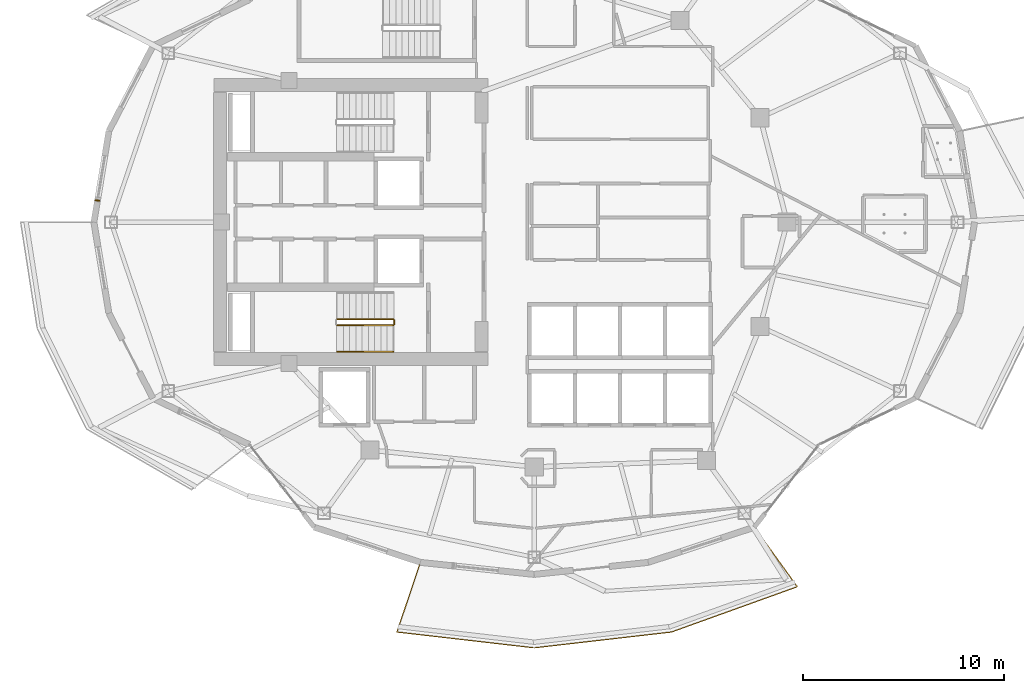
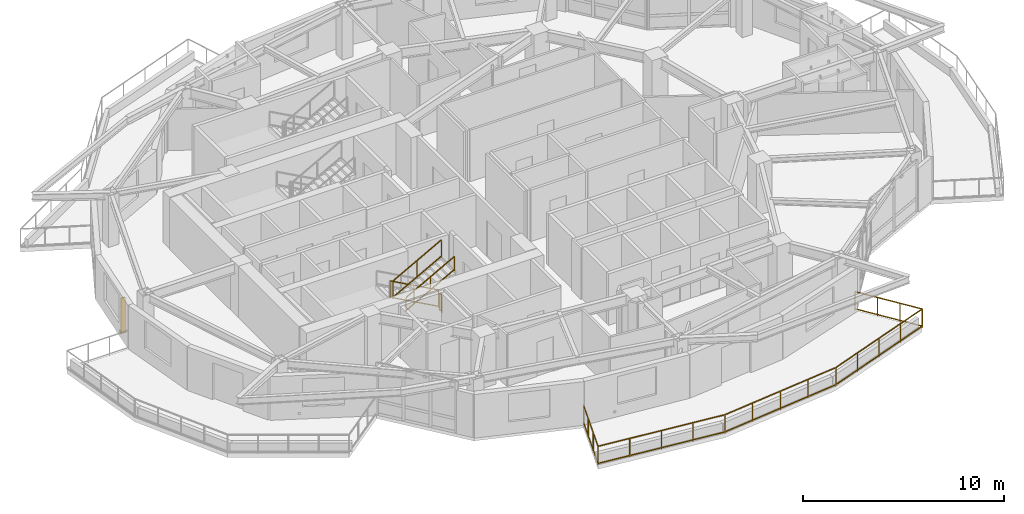
# One storey, part 16 of 18: 5 railings, 1 shading device.
"""IFC4 building model written with IfcOpenShell, lengths in metres."""

from ifc_helpers import new_model, si_unit, direction, frame, origin, origin_2d, place, context, subcontext, project, spatial, rectangle, extrude, material, type_object, element, save


model = new_model("IFC4")

# Units and contexts
model_context = context("Model", 3, precision=1e-05, world=origin(), true_north=direction((0.0, 1.0)))
body_context = subcontext(model_context, "Body", "Model", "MODEL_VIEW")
ifc_project = project(units=[si_unit("LENGTHUNIT", "METRE"), si_unit("AREAUNIT", "SQUARE_METRE"), si_unit("VOLUMEUNIT", "CUBIC_METRE"), si_unit("PLANEANGLEUNIT", "RADIAN"), si_unit("MASSUNIT", "GRAM", prefix="KILO")], contexts=[model_context])

# Site, building, storey
site_placement = place(None, origin())
site = spatial("IfcSite", under=ifc_project, at=site_placement, CompositionType="ELEMENT")
building_placement = place(site_placement, origin())
building = spatial("IfcBuilding", under=site, at=building_placement, Name="Kolvaren Gate Tower and Convention Centre", CompositionType="ELEMENT")
storey_placement = place(building_placement, frame((0.0, 0.0, 176.699951171875)))
storey = spatial("IfcBuildingStorey", under=building, at=storey_placement, Name="L46", CompositionType="ELEMENT", Elevation=176.699951171875)

# Railings
ifc_material_1 = material(Name="Brushed Stainless Steel Grade 316L", Category="steel")
railing_type_1 = type_object("IfcRailingType", Name="ARCH-RL-GUARD-1150", PredefinedType="GUARDRAIL", material=ifc_material_1)
railing_1_placement = place(storey_placement, frame((23.10009765625, 22.169921875, 0.170166015625)))
element("IfcRailing", 1, at=railing_1_placement, inside=storey, type_object=railing_type_1, Name="L46 ST-T2 stair guard 1", PredefinedType="GUARDRAIL", context=body_context, shape_type="SweptSolid", body=[
    extrude(rectangle(XDim=0.048095703125, YDim=0.048095703125, at=origin_2d()), frame((0.0, 0.0, 1.076171875), z_axis=(-0.876843711699, 0.0, 0.480775524808), x_axis=(0.0, -1.0, 0.0)), (0.0, 0.0, 1.0), 3.181884765625),
    extrude(rectangle(XDim=0.048095703125, YDim=0.048095703125, at=origin_2d()), frame((0.0, 0.0, 0.083984375), z_axis=(-0.876843711699, 0.0, 0.480775524808), x_axis=(0.0, -1.0, 0.0)), (0.0, 0.0, 1.0), 3.181884765625),
    extrude(rectangle(XDim=0.0419921875, YDim=0.0419921875, at=origin_2d()), origin(), (0.0, 0.0, 1.0), 1.050048828125),
    extrude(rectangle(XDim=0.0419921875, YDim=0.0419921875, at=origin_2d()), frame((-2.7900390625, 0.0, 1.52978515625)), (0.0, 0.0, 1.0), 1.050048828125),
    extrude(rectangle(XDim=0.0419921875, YDim=0.0419921875, at=origin_2d()), frame((-1.39501953125, 0.0, 0.764892578125)), (0.0, 0.0, 1.0), 1.050048828125),
])
railing_2_placement = place(storey_placement, frame((20.31005859375, 21.8701171875, 1.8701171875)))
element("IfcRailing", 2, at=railing_2_placement, inside=storey, type_object=railing_type_1, Name="L46 ST-T2 stair guard 3", PredefinedType="GUARDRAIL", context=body_context, shape_type="SweptSolid", body=[
    extrude(rectangle(XDim=0.048095703125, YDim=0.048095703125, at=origin_2d()), frame((0.0, 0.0, 1.076171875), z_axis=(0.876811365212, 0.0, 0.480834513982), x_axis=(0.0, 1.0, 0.0)), (0.0, 0.0, 1.0), 3.18212890625),
    extrude(rectangle(XDim=0.048095703125, YDim=0.048095703125, at=origin_2d()), frame((0.0, 0.0, 0.083984375), z_axis=(0.876811365212, 0.0, 0.480834513982), x_axis=(0.0, 1.0, 0.0)), (0.0, 0.0, 1.0), 3.18212890625),
    extrude(rectangle(XDim=0.0419921875, YDim=0.0419921875, at=origin_2d()), origin(), (0.0, 0.0, 1.0), 1.050048828125),
    extrude(rectangle(XDim=0.0419921875, YDim=0.0419921875, at=origin_2d()), frame((2.7900390625, 0.0, 1.530029296875)), (0.0, 0.0, 1.0), 1.050048828125),
    extrude(rectangle(XDim=0.0419921875, YDim=0.0419921875, at=origin_2d()), frame((1.39501953125, 0.0, 0.76513671875)), (0.0, 0.0, 1.0), 1.050048828125),
])
railing_3_placement = place(storey_placement, frame((23.14990234375, 22.1201171875, 0.0)))
element("IfcRailing", 3, at=railing_3_placement, inside=storey, type_object=railing_type_1, Name="L46 ST-T2 stair guard 4", PredefinedType="GUARDRAIL", context=body_context, shape_type="SweptSolid", body=[
    extrude(rectangle(XDim=0.048095703125, YDim=0.048095703125, at=origin_2d()), frame((0.0, 0.0, 1.076171875), z_axis=(0.0, -1.0, 0.0), x_axis=(1.0, 0.0, 0.0)), (0.0, 0.0, 1.0), 0.2001953125),
    extrude(rectangle(XDim=0.048095703125, YDim=0.048095703125, at=origin_2d()), frame((0.0, 0.0, 0.083984375), z_axis=(0.0, -1.0, 0.0), x_axis=(1.0, 0.0, 0.0)), (0.0, 0.0, 1.0), 0.2001953125),
    extrude(rectangle(XDim=0.0419921875, YDim=0.0419921875, at=origin_2d()), origin(), (0.0, 0.0, 1.0), 1.050048828125),
    extrude(rectangle(XDim=0.0419921875, YDim=0.0419921875, at=origin_2d()), frame((0.0, -0.2001953125, 0.0)), (0.0, 0.0, 1.0), 1.050048828125),
])
railing_4_placement = place(storey_placement, frame((24.447265625, 10.048095703125, 0.0)))
element("IfcRailing", 4, at=railing_4_placement, inside=storey, type_object=railing_type_1, Name="Tower L46 Terrace Perimeter Guardrail GR-3", PredefinedType="GUARDRAIL", context=body_context, shape_type="SweptSolid", body=[
    extrude(rectangle(XDim=0.048095703125, YDim=0.048095703125, at=origin_2d()), frame((-0.0087890625, -0.026611328125, 1.1259765625), z_axis=(-0.317568160167, -0.94823544737, 0.0), x_axis=(0.94823544737, -0.317568160167, 0.0)), (0.0, 0.0, 1.0), 3.60400390625),
    extrude(rectangle(XDim=0.048095703125, YDim=0.048095703125, at=origin_2d()), frame((-0.0087890625, -0.026611328125, 0.083984375), z_axis=(-0.317568160167, -0.94823544737, 0.0), x_axis=(0.94823544737, -0.317568160167, 0.0)), (0.0, 0.0, 1.0), 3.60400390625),
    extrude(rectangle(XDim=0.048095703125, YDim=0.048095703125, at=origin_2d()), frame((-1.134521484375, -3.473876953125, 1.1259765625), z_axis=(0.993440112849, -0.114353584036, 0.0), x_axis=(0.114353584036, 0.993440112849, 0.0)), (0.0, 0.0, 1.0), 6.8291015625),
    extrude(rectangle(XDim=0.048095703125, YDim=0.048095703125, at=origin_2d()), frame((-1.134521484375, -3.473876953125, 0.083984375), z_axis=(0.993440112849, -0.114353584036, 0.0), x_axis=(0.114353584036, 0.993440112849, 0.0)), (0.0, 0.0, 1.0), 6.8291015625),
    extrude(rectangle(XDim=0.048095703125, YDim=0.048095703125, at=origin_2d()), frame((5.70556640625, -4.2548828125, 1.1259765625), z_axis=(0.993440112849, 0.114353584036, 0.0), x_axis=(-0.114353584036, 0.993440112849, 0.0)), (0.0, 0.0, 1.0), 6.8291015625),
    extrude(rectangle(XDim=0.048095703125, YDim=0.048095703125, at=origin_2d()), frame((5.70556640625, -4.2548828125, 0.083984375), z_axis=(0.993440112849, 0.114353584036, 0.0), x_axis=(-0.114353584036, 0.993440112849, 0.0)), (0.0, 0.0, 1.0), 6.8291015625),
    extrude(rectangle(XDim=0.048095703125, YDim=0.048095703125, at=origin_2d()), frame((12.544189453125, -3.461181640625, 1.1259765625), z_axis=(0.940948576924, 0.338549517184, 0.0), x_axis=(-0.338549517184, 0.940948576924, 0.0)), (0.0, 0.0, 1.0), 6.60791015625),
    extrude(rectangle(XDim=0.048095703125, YDim=0.048095703125, at=origin_2d()), frame((12.544189453125, -3.461181640625, 0.083984375), z_axis=(0.940948576924, 0.338549517184, 0.0), x_axis=(-0.338549517184, 0.940948576924, 0.0)), (0.0, 0.0, 1.0), 6.60791015625),
    extrude(rectangle(XDim=0.048095703125, YDim=0.048095703125, at=origin_2d()), frame((18.77197265625, -1.19189453125, 1.1259765625), z_axis=(-0.585212870465, 0.810879705161, 0.0), x_axis=(-0.810879705161, -0.585212870465, 0.0)), (0.0, 0.0, 1.0), 3.603759765625),
    extrude(rectangle(XDim=0.048095703125, YDim=0.048095703125, at=origin_2d()), frame((18.77197265625, -1.19189453125, 0.083984375), z_axis=(-0.585212870465, 0.810879705161, 0.0), x_axis=(-0.810879705161, -0.585212870465, 0.0)), (0.0, 0.0, 1.0), 3.603759765625),
    extrude(rectangle(XDim=0.0419921875, YDim=0.0419921875, at=origin_2d()), origin(), (0.0, 0.0, 1.0), 1.14990234375),
    extrude(rectangle(XDim=0.0419921875, YDim=0.0419921875, at=origin_2d()), frame((-1.162353515625, -3.470703125, 0.0)), (0.0, 0.0, 1.0), 1.14990234375),
    extrude(rectangle(XDim=0.0419921875, YDim=0.0419921875, at=origin_2d()), frame((-0.387451171875, -1.156982421875, 0.0)), (0.0, 0.0, 1.0), 1.099853515625),
    extrude(rectangle(XDim=0.0419921875, YDim=0.0419921875, at=origin_2d()), frame((-0.77490234375, -2.313720703125, 0.0)), (0.0, 0.0, 1.0), 1.099853515625),
    extrude(rectangle(XDim=0.0419921875, YDim=0.0419921875, at=origin_2d()), frame((5.677734375, -4.258056640625, 0.0)), (0.0, 0.0, 1.0), 1.14990234375),
    extrude(rectangle(XDim=0.0419921875, YDim=0.0419921875, at=origin_2d()), frame((0.547607421875, -3.66748046875, 0.0)), (0.0, 0.0, 1.0), 1.099853515625),
    extrude(rectangle(XDim=0.0419921875, YDim=0.0419921875, at=origin_2d()), frame((2.2578125, -3.8642578125, 0.0)), (0.0, 0.0, 1.0), 1.099853515625),
    extrude(rectangle(XDim=0.0419921875, YDim=0.0419921875, at=origin_2d()), frame((3.9677734375, -4.061279296875, 0.0)), (0.0, 0.0, 1.0), 1.099853515625),
    extrude(rectangle(XDim=0.0419921875, YDim=0.0419921875, at=origin_2d()), frame((12.517822265625, -3.470703125, 0.0)), (0.0, 0.0, 1.0), 1.14990234375),
    extrude(rectangle(XDim=0.0419921875, YDim=0.0419921875, at=origin_2d()), frame((7.3876953125, -4.061279296875, 0.0)), (0.0, 0.0, 1.0), 1.099853515625),
    extrude(rectangle(XDim=0.0419921875, YDim=0.0419921875, at=origin_2d()), frame((9.09765625, -3.8642578125, 0.0)), (0.0, 0.0, 1.0), 1.099853515625),
    extrude(rectangle(XDim=0.0419921875, YDim=0.0419921875, at=origin_2d()), frame((10.807861328125, -3.66748046875, 0.0)), (0.0, 0.0, 1.0), 1.099853515625),
    extrude(rectangle(XDim=0.0419921875, YDim=0.0419921875, at=origin_2d()), frame((18.788330078125, -1.214599609375, 0.0)), (0.0, 0.0, 1.0), 1.14990234375),
    extrude(rectangle(XDim=0.0419921875, YDim=0.0419921875, at=origin_2d()), frame((14.08544921875, -2.90673828125, 0.0)), (0.0, 0.0, 1.0), 1.099853515625),
    extrude(rectangle(XDim=0.0419921875, YDim=0.0419921875, at=origin_2d()), frame((15.653076171875, -2.3427734375, 0.0)), (0.0, 0.0, 1.0), 1.099853515625),
    extrude(rectangle(XDim=0.0419921875, YDim=0.0419921875, at=origin_2d()), frame((17.220703125, -1.778564453125, 0.0)), (0.0, 0.0, 1.0), 1.099853515625),
    extrude(rectangle(XDim=0.0419921875, YDim=0.0419921875, at=origin_2d()), frame((16.646484375, 1.753173828125, 0.0)), (0.0, 0.0, 1.0), 1.14990234375),
    extrude(rectangle(XDim=0.0419921875, YDim=0.0419921875, at=origin_2d()), frame((18.074462890625, -0.225341796875, 0.0)), (0.0, 0.0, 1.0), 1.099853515625),
    extrude(rectangle(XDim=0.0419921875, YDim=0.0419921875, at=origin_2d()), frame((17.3603515625, 0.763916015625, 0.0)), (0.0, 0.0, 1.0), 1.099853515625),
])
railing_type_2 = type_object("IfcRailingType", Name="ARCH-RL-HANDRAIL-920", PredefinedType="HANDRAIL", material=ifc_material_1)
railing_5_placement = place(storey_placement, frame((20.31005859375, 20.550048828125, 1.8701171875)))
element("IfcRailing", 5, at=railing_5_placement, inside=storey, type_object=railing_type_2, Name="L46 ST-T2 stair handrail 2", PredefinedType="HANDRAIL", context=body_context, shape_type="SweptSolid", body=[
    extrude(rectangle(XDim=0.048095703125, YDim=0.048095703125, at=origin_2d()), frame((0.0, 0.0, 0.8759765625), z_axis=(0.876811365212, 0.0, 0.480834513982), x_axis=(0.0, 1.0, 0.0)), (0.0, 0.0, 1.0), 3.18212890625),
    extrude(rectangle(XDim=0.048095703125, YDim=0.048095703125, at=origin_2d()), frame((0.0, 0.0, 0.083984375), z_axis=(0.876811365212, 0.0, 0.480834513982), x_axis=(0.0, 1.0, 0.0)), (0.0, 0.0, 1.0), 3.18212890625),
    extrude(rectangle(XDim=0.0419921875, YDim=0.0419921875, at=origin_2d()), origin(), (0.0, 0.0, 1.0), 0.849853515625),
    extrude(rectangle(XDim=0.0419921875, YDim=0.0419921875, at=origin_2d()), frame((2.7900390625, 0.0, 1.530029296875)), (0.0, 0.0, 1.0), 0.849853515625),
    extrude(rectangle(XDim=0.0419921875, YDim=0.0419921875, at=origin_2d()), frame((1.39501953125, 0.0, 0.76513671875)), (0.0, 0.0, 1.0), 0.849853515625),
])

# Shading device
ifc_material_2 = material(Name="Kiln-Fired Bogota Terracotta Ceramic Louvre Profile", Category="masonry")
shading_device_type = type_object("IfcShadingDeviceType", Name="ARCH-SHD-FIN-180", PredefinedType="JALOUSIE", material=ifc_material_2)
shading_device_placement = place(storey_placement, frame((8.36474609375, 28.077392578125, 0.22021484375), z_axis=(0.0, 0.0, 1.0), x_axis=(0.162380568014, 0.986728205298, 0.0)))
element("IfcShadingDevice", 6, at=shading_device_placement, inside=storey, type_object=shading_device_type, Name="Ceramic Vertical Brise-Soleil Fin FN-L46-11", PredefinedType="JALOUSIE", context=body_context, shape_type="SweptSolid", body=[
    extrude(rectangle(XDim=0.06005859375, YDim=0.239990234375, at=origin_2d()), origin(), (0.0, 0.0, 1.0), 2.14990234375),
])

save(model, "model.ifc")
